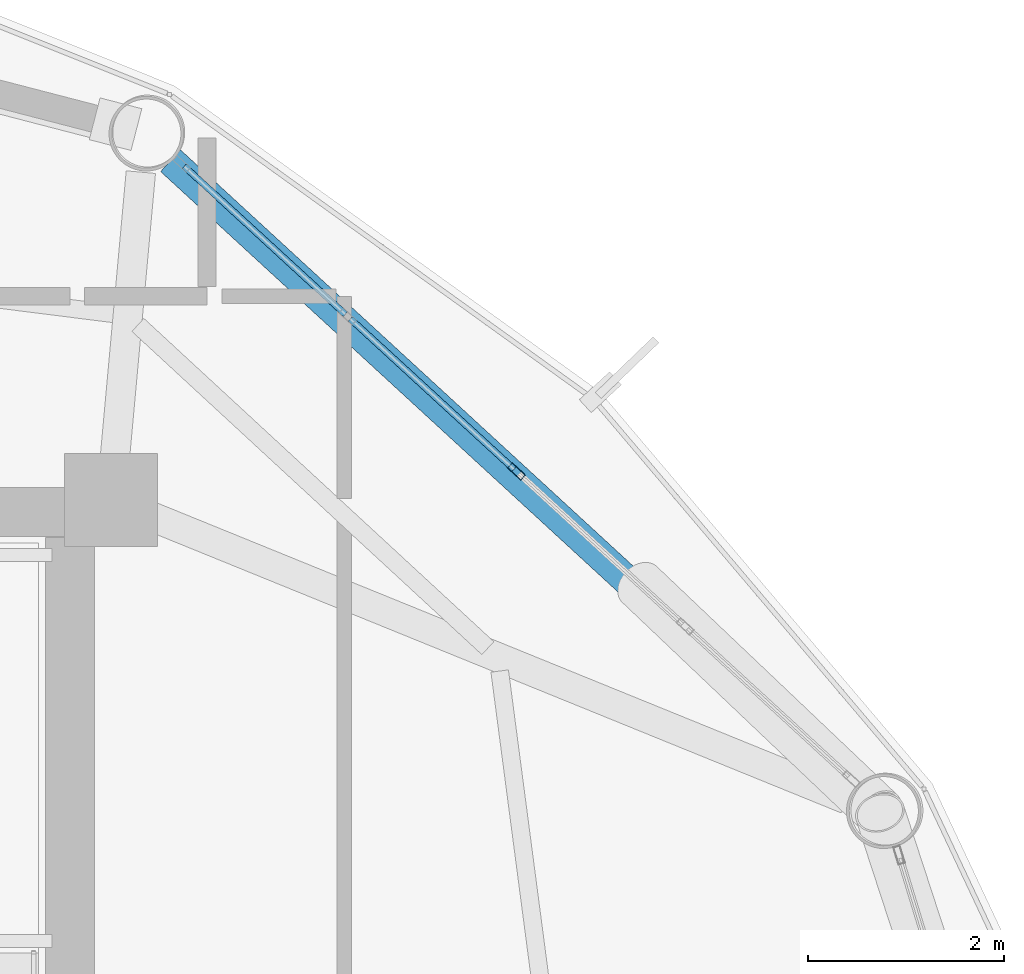
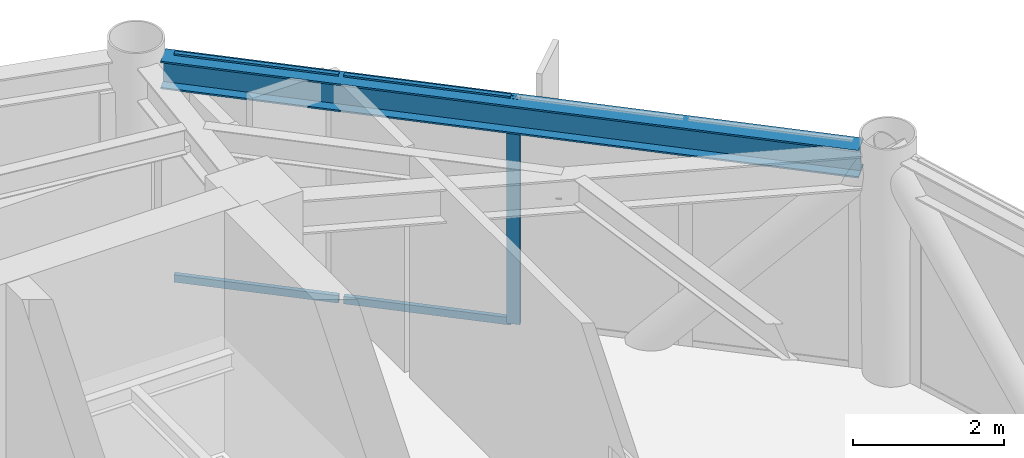
# One storey, part 20 of 26: 5 members, 1 beam, 1 element without a shape of its own.
"""IFC4 building model written with IfcOpenShell, lengths in metres."""

import ifcopenshell
import ifcopenshell.guid

model = None  # the IFC model being written
_history = None  # IfcOwnerHistory: only IFC2X3 demands one
_inside = {}  # id of a spatial element -> (the spatial element, [elements in it])
_under = {}  # id of a project, library or spatial element -> (it, [spatial elements below it])
_declared = {}  # id of a project -> (the project, [libraries it declares])
_typed = {}  # id of a type object -> (the type object, [elements of that type])
_made_of = {}  # id of a material, layer set ... -> (it, [elements and type objects made of it])


def new_model(schema):
    """Start an empty IFC model of exactly this schema.

    Asked for "IFC4X3", IfcOpenShell would pick the latest addendum, in which some entities
    have other attributes; the version numbers below select the first issue.
    IFC2X3 requires an IfcOwnerHistory on every rooted entity: one is made here for all.
    """
    global model, _history
    if schema == "IFC4X3":
        model = ifcopenshell.file(schema_version=(4, 3, 0, 0))
    else:
        model = ifcopenshell.file(schema=schema)
    _inside.clear()
    _under.clear()
    _declared.clear()
    _typed.clear()
    _made_of.clear()
    _history = None
    if model.schema == "IFC2X3":
        org = make("IfcOrganization", Name="unknown")
        user = make(
            "IfcPersonAndOrganization",
            ThePerson=make("IfcPerson", FamilyName="unknown"),
            TheOrganization=org,
        )
        app = make(
            "IfcApplication",
            ApplicationDeveloper=org,
            Version="unknown",
            ApplicationFullName="unknown",
            ApplicationIdentifier="unknown",
        )
        _history = make(
            "IfcOwnerHistory",
            OwningUser=user,
            OwningApplication=app,
            ChangeAction="ADDED",
            CreationDate=0,
        )
    return model


def make(cls, **values):
    """One entity of the class cls with the attributes given. An attribute that is None is left unset."""
    return model.create_entity(
        cls, **{name: value for name, value in values.items() if value is not None}
    )


def rooted(cls, **values):
    """An entity with a GlobalId (a new one), such as an element, a storey or a relation."""
    return make(cls, GlobalId=ifcopenshell.guid.new(), OwnerHistory=_history, **values)


def si_unit(unit_type, name, prefix=None):
    """IfcSIUnit, for example si_unit("LENGTHUNIT", "METRE", prefix="MILLI")."""
    return make("IfcSIUnit", UnitType=unit_type, Prefix=prefix, Name=name)


def assignment(units):
    """IfcUnitAssignment: the units of a project."""
    return None if units is None else make("IfcUnitAssignment", Units=units)


def point(xyz):
    """IfcCartesianPoint."""
    return None if xyz is None else make("IfcCartesianPoint", Coordinates=xyz)


def direction(xyz):
    """IfcDirection."""
    return None if xyz is None else make("IfcDirection", DirectionRatios=xyz)


def frame(location, z_axis=None, x_axis=None):
    """IfcAxis2Placement3D, a coordinate frame: its origin and axes. An axis left out is left unset."""
    return make(
        "IfcAxis2Placement3D",
        Location=point(location),
        Axis=direction(z_axis),
        RefDirection=direction(x_axis),
    )


def frame_2d(location, x_axis=None):
    """IfcAxis2Placement2D, a coordinate frame in the plane: its origin and x axis."""
    return make(
        "IfcAxis2Placement2D", Location=point(location), RefDirection=direction(x_axis)
    )


def origin():
    """The frame at (0, 0, 0) with its axes left unset."""
    return frame((0.0, 0.0, 0.0))


def origin_2d():
    """The frame at (0, 0) in the plane with its x axis left unset."""
    return frame_2d((0.0, 0.0))


def place(relative_to, where):
    """IfcLocalPlacement: puts the frame where relative to a parent placement (None: the world)."""
    return make(
        "IfcLocalPlacement", PlacementRelTo=relative_to, RelativePlacement=where
    )


def context(
    kind, dimensions, precision=None, world=None, true_north=None, identifier=None
):
    """IfcGeometricRepresentationContext, for example the 3D "Model" context."""
    return make(
        "IfcGeometricRepresentationContext",
        ContextIdentifier=identifier,
        ContextType=kind,
        CoordinateSpaceDimension=dimensions,
        Precision=precision,
        WorldCoordinateSystem=world,
        TrueNorth=true_north,
    )


def subcontext(parent, identifier, kind, view, scale=None):
    """IfcGeometricRepresentationSubContext, for example "Body" below "Model"."""
    return make(
        "IfcGeometricRepresentationSubContext",
        ContextIdentifier=identifier,
        ContextType=kind,
        ParentContext=parent,
        TargetScale=scale,
        TargetView=view,
    )


def project(units=None, contexts=None):
    """IfcProject with its units and contexts."""
    return rooted(
        "IfcProject",
        Name="project",
        RepresentationContexts=contexts,
        UnitsInContext=assignment(units),
    )


def spatial(cls, under=None, at=None, **own):
    """A site, building, storey or space (cls), placed at a placement, below another one or the project."""
    s = rooted(cls, ObjectPlacement=at, **own)
    if under is not None:
        _under.setdefault(under.id(), (under, []))[1].append(s)
    return s


def profile(cls, at=None, kind="AREA", **sizes):
    """A parametric profile (cls). Its sizes go by their IFC names, for example OverallWidth=200.0."""
    return make(cls, ProfileType=kind, Position=at, **sizes)


def hollow_rectangle(**sizes):
    """IfcRectangleHollowProfileDef."""
    return profile("IfcRectangleHollowProfileDef", **sizes)


def i_section(**sizes):
    """IfcIShapeProfileDef."""
    return profile("IfcIShapeProfileDef", **sizes)


def extrude(swept, where, along, depth):
    """IfcExtrudedAreaSolid: the profile swept, set in the frame where, extruded along a direction by depth."""
    return make(
        "IfcExtrudedAreaSolid",
        SweptArea=swept,
        Position=where,
        ExtrudedDirection=direction(along),
        Depth=depth,
    )


def shape(context_of_items, identifier, shape_type, items):
    """IfcShapeRepresentation: the items that make up one representation, for example the "Body"."""
    return make(
        "IfcShapeRepresentation",
        ContextOfItems=context_of_items,
        RepresentationIdentifier=identifier,
        RepresentationType=shape_type,
        Items=items,
    )


def material(Name=None, Category=None):
    """IfcMaterial."""
    return make("IfcMaterial", Name=Name, Category=Category)


def layer(
    of_material, thickness, ventilated=None, Name=None, Category=None, Priority=None
):
    """IfcMaterialLayer: one layer of a wall or slab, of a material (None: an air gap)."""
    return make(
        "IfcMaterialLayer",
        Material=of_material,
        LayerThickness=thickness,
        IsVentilated=ventilated,
        Name=Name,
        Category=Category,
        Priority=Priority,
    )


def layer_set(layers, Name=None):
    """IfcMaterialLayerSet."""
    return make("IfcMaterialLayerSet", MaterialLayers=layers, LayerSetName=Name)


def material_profile(
    of_material, cross_section, Name=None, Category=None, Priority=None
):
    """IfcMaterialProfile: a cross section and its material."""
    return make(
        "IfcMaterialProfile",
        Name=Name,
        Material=of_material,
        Profile=cross_section,
        Priority=Priority,
        Category=Category,
    )


def profile_set(profiles, Name=None, composite=None):
    """IfcMaterialProfileSet."""
    return make(
        "IfcMaterialProfileSet",
        Name=Name,
        MaterialProfiles=profiles,
        CompositeProfile=composite,
    )


def made_of(thing, what):
    """Note that an element or type object is made of a material, layer set ...; save() writes the relation."""
    if what is not None:
        _made_of.setdefault(what.id(), (what, []))[1].append(thing)
    return thing


def type_object(cls, material=None, **own):
    """A type object (cls), such as IfcWallType, which elements share."""
    return made_of(rooted(cls, **own), material)


def element(
    cls,
    number,
    at=None,
    inside=None,
    cuts=None,
    type_object=None,
    material=None,
    context=None,
    identifier="Body",
    shape_type=None,
    held_by="IfcProductDefinitionShape",
    body=None,
    shapes=None,
    **own,
):
    """One element of the class cls, such as IfcWall. Its Tag is "e" and its number.

    at: its placement. inside: the storey or other place that contains it. cuts: it is an
    opening in that element (IfcRelVoidsElement). A single representation is given by context,
    identifier, shape_type and body (its items); several are given by shapes. held_by: the class
    of the entity that holds the representations. save() writes the other relations.
    """
    e = rooted(cls, Tag="e%d" % number, ObjectPlacement=at, **own)
    if body is not None:
        shapes = [shape(context, identifier, shape_type, body)]
    if shapes is not None:
        e.Representation = make(held_by, Representations=shapes)
    if inside is not None:
        _inside.setdefault(inside.id(), (inside, []))[1].append(e)
    if cuts is not None:
        rooted(
            "IfcRelVoidsElement", RelatingBuildingElement=cuts, RelatedOpeningElement=e
        )
    if type_object is not None:
        _typed.setdefault(type_object.id(), (type_object, []))[1].append(e)
    return made_of(e, material)


def aggregate(whole, parts):
    """IfcRelAggregates: a whole, such as a stair, and the parts it consists of."""
    return rooted("IfcRelAggregates", RelatingObject=whole, RelatedObjects=parts)


def save(model, path):
    """Write the relations noted so far, then the file.

    IfcRelAggregates (storeys below a building ...), IfcRelContainedInSpatialStructure (elements
    in a storey), IfcRelDefinesByType, IfcRelAssociatesMaterial and IfcRelDeclares: one each for
    every whole, place, type object, material and project.
    """
    for whole, parts in _under.values():
        aggregate(whole, parts)
    for where, things in _inside.values():
        rooted(
            "IfcRelContainedInSpatialStructure",
            RelatedElements=things,
            RelatingStructure=where,
        )
    for kind, things in _typed.values():
        rooted("IfcRelDefinesByType", RelatedObjects=things, RelatingType=kind)
    for what, things in _made_of.values():
        rooted("IfcRelAssociatesMaterial", RelatedObjects=things, RelatingMaterial=what)
    for by, libraries in _declared.values():
        rooted("IfcRelDeclares", RelatingContext=by, RelatedDefinitions=libraries)
    model.write(path)


model = new_model("IFC4")

# Units and contexts
model_context = context("Model", 3, precision=1e-05, world=origin(), true_north=direction((0.0, 1.0)))
body_context = subcontext(model_context, "Body", "Model", "MODEL_VIEW")
ifc_project = project(units=[si_unit("LENGTHUNIT", "METRE"), si_unit("AREAUNIT", "SQUARE_METRE"), si_unit("VOLUMEUNIT", "CUBIC_METRE"), si_unit("PLANEANGLEUNIT", "RADIAN"), si_unit("MASSUNIT", "GRAM", prefix="KILO")], contexts=[model_context])

# Site, building, storey
site_placement = place(None, origin())
site = spatial("IfcSite", under=ifc_project, at=site_placement, CompositionType="ELEMENT")
building_placement = place(site_placement, origin())
building = spatial("IfcBuilding", under=site, at=building_placement, Name="Varnakorn Sky Granary", CompositionType="ELEMENT")
storey_placement = place(building_placement, frame((0.0, 0.0, 153.89990234375)))
storey = spatial("IfcBuildingStorey", under=building, at=storey_placement, Name="L38", CompositionType="ELEMENT", Elevation=153.89990234375)

# Beam
ifc_material_1 = material(Name="Steel S355JR", Category="steel")
ifc_material_profile_1 = material_profile(ifc_material_1, i_section(OverallWidth=0.300048828125, OverallDepth=0.449951171875, WebThickness=0.013916015625, FlangeThickness=0.02587890625, at=origin_2d()), Name="HE 450 B")
ifc_profile_set_1 = profile_set([ifc_material_profile_1], Name="Steel S355JR")
beam_type = type_object("IfcBeamType", Name="BM-SPD-Z3", PredefinedType="SPANDREL", material=ifc_profile_set_1)
beam_placement = place(storey_placement, frame((15.9970703125, 9.6767578125, 3.4150390625), z_axis=(-0.736214657164, 0.67674809093, 0.0), x_axis=(-0.67674809093, -0.736214657164, 0.0)))
element("IfcBeam", 1, at=beam_placement, inside=storey, type_object=beam_type, Name="Perimeter Spandrel Ring Beam RB02 L38", PredefinedType="SPANDREL", context=body_context, shape_type="SweptSolid", body=[
    extrude(i_section(OverallWidth=0.300048828125, OverallDepth=0.449951171875, WebThickness=0.013916015625, FlangeThickness=0.02587890625, at=origin_2d()), origin(), (0.0, 0.0, 1.0), 9.46728515625),
])

# Curtain wall, members
ifc_material_2 = material(Name="Anodised Bronze Aluminium Alloy 6063-T6", Category="aluminium")
ifc_layer = layer(ifc_material_2, 0.179931640625, Name="Anodised Bronze Aluminium Alloy 6063-T6")
ifc_layer_set = layer_set([ifc_layer], Name="Anodised Bronze Aluminium Alloy 6063-T6")
curtain_wall_type = type_object("IfcCurtainWallType", Name="CW-FRM-2", PredefinedType="USERDEFINED", material=ifc_layer_set)
curtain_wall_placement = place(storey_placement, origin())
curtain_wall = element("IfcCurtainWall", 2, at=curtain_wall_placement, inside=storey, type_object=curtain_wall_type, Name="Unitised Curtain Wall CW4 CW-L38-B02", ObjectType="CURTAIN WALL", PredefinedType="USERDEFINED")
ifc_material_profile_2 = material_profile(ifc_material_2, hollow_rectangle(XDim=0.070068359375, YDim=0.18505859375, WallThickness=0.00390625, at=origin_2d()), Name="ALU MULL 70x185")
ifc_profile_set_2 = profile_set([ifc_material_profile_2], Name="Anodised Bronze Aluminium Alloy 6063-T6")
member_type_1 = type_object("IfcMemberType", Name="CW-FRM-2-MULL", PredefinedType="MULLION", material=ifc_profile_set_2)
member_1_placement = place(storey_placement, frame((12.557861328125, 12.912353515625, 0.0), z_axis=(0.0, 0.0, 1.0), x_axis=(0.676471797865, 0.736468537477, 0.0)))
member_1 = element("IfcMember", 3, at=member_1_placement, type_object=member_type_1, Name="CW4 mullion 3", PredefinedType="MULLION", context=body_context, shape_type="SweptSolid", body=[
    extrude(hollow_rectangle(XDim=0.070068359375, YDim=0.18505859375, WallThickness=0.00390625, at=origin_2d()), origin(), (0.0, 0.0, 1.0), 3.64013671875),
])
ifc_material_profile_3 = material_profile(ifc_material_2, hollow_rectangle(XDim=0.06494140625, YDim=0.1201171875, WallThickness=0.00341796875, at=origin_2d()), Name="ALU TRAN 65x120")
ifc_profile_set_3 = profile_set([ifc_material_profile_3], Name="Anodised Bronze Aluminium Alloy 6063-T6")
member_type_2 = type_object("IfcMemberType", Name="CW-FRM-2-TRAN", PredefinedType="USERDEFINED", material=ifc_profile_set_3)
member_2_placement = place(storey_placement, frame((9.167236328125, 16.026611328125, 0.03271484375), z_axis=(0.736495410887, -0.676442539867, 0.0), x_axis=(0.676442539867, 0.736495410887, 0.0)))
member_2 = element("IfcMember", 4, at=member_2_placement, type_object=member_type_2, Name="CW4 transom 1.1", ObjectType="TRANSOM", PredefinedType="USERDEFINED", context=body_context, shape_type="SweptSolid", body=[
    extrude(hollow_rectangle(XDim=0.06494140625, YDim=0.1201171875, WallThickness=0.00341796875, at=origin_2d()), origin(), (0.0, 0.0, 1.0), 2.23193359375),
])
member_3_placement = place(storey_placement, frame((9.167236328125, 16.026611328125, 3.607666015625), z_axis=(0.736495410887, -0.676442539867, 0.0), x_axis=(0.676442539867, 0.736495410887, 0.0)))
member_3 = element("IfcMember", 5, at=member_3_placement, type_object=member_type_2, Name="CW4 transom 1.2", ObjectType="TRANSOM", PredefinedType="USERDEFINED", context=body_context, shape_type="SweptSolid", body=[
    extrude(hollow_rectangle(XDim=0.06494140625, YDim=0.1201171875, WallThickness=0.00341796875, at=origin_2d()), origin(), (0.0, 0.0, 1.0), 2.23193359375),
])
member_4_placement = place(storey_placement, frame((10.862548828125, 14.469482421875, 0.03271484375), z_axis=(0.736465278556, -0.676475345804, 0.0), x_axis=(0.676475345804, 0.736465278556, 0.0)))
member_4 = element("IfcMember", 6, at=member_4_placement, type_object=member_type_2, Name="CW4 transom 2.1", ObjectType="TRANSOM", PredefinedType="USERDEFINED", context=body_context, shape_type="SweptSolid", body=[
    extrude(hollow_rectangle(XDim=0.06494140625, YDim=0.1201171875, WallThickness=0.00341796875, at=origin_2d()), origin(), (0.0, 0.0, 1.0), 2.266845703125),
])
member_5_placement = place(storey_placement, frame((10.862548828125, 14.469482421875, 3.607666015625), z_axis=(0.736465278556, -0.676475345804, 0.0), x_axis=(0.676475345804, 0.736465278556, 0.0)))
member_5 = element("IfcMember", 7, at=member_5_placement, type_object=member_type_2, Name="CW4 transom 2.2", ObjectType="TRANSOM", PredefinedType="USERDEFINED", context=body_context, shape_type="SweptSolid", body=[
    extrude(hollow_rectangle(XDim=0.06494140625, YDim=0.1201171875, WallThickness=0.00341796875, at=origin_2d()), origin(), (0.0, 0.0, 1.0), 2.266845703125),
])
aggregate(curtain_wall, [member_1, member_2, member_3, member_4, member_5])

save(model, "model.ifc")
